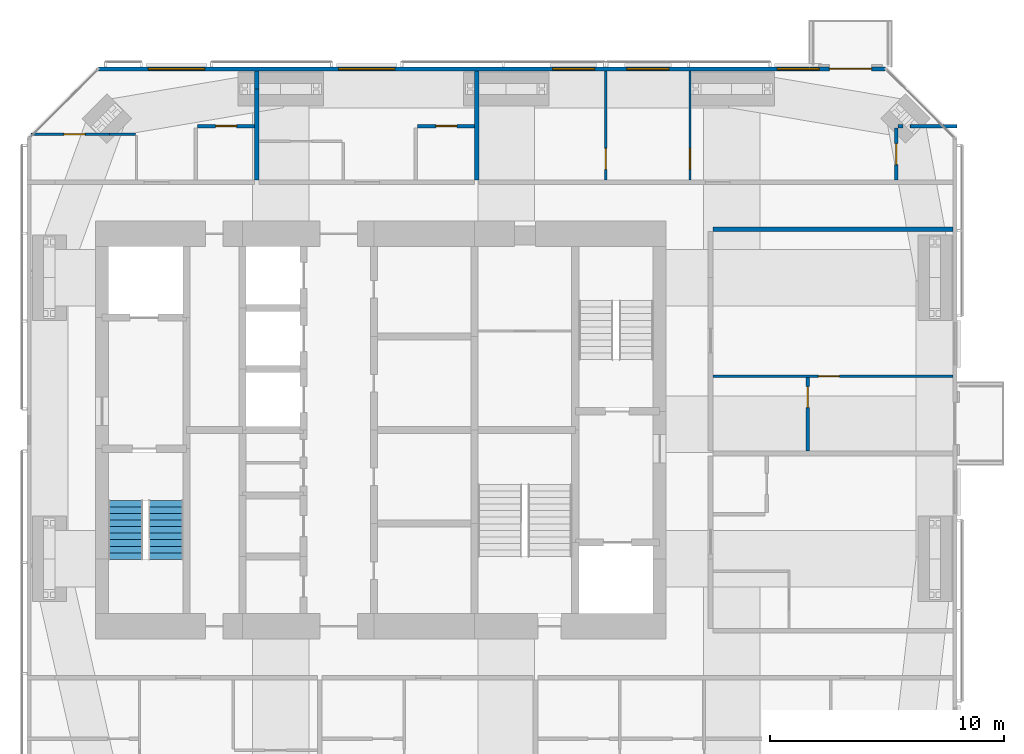
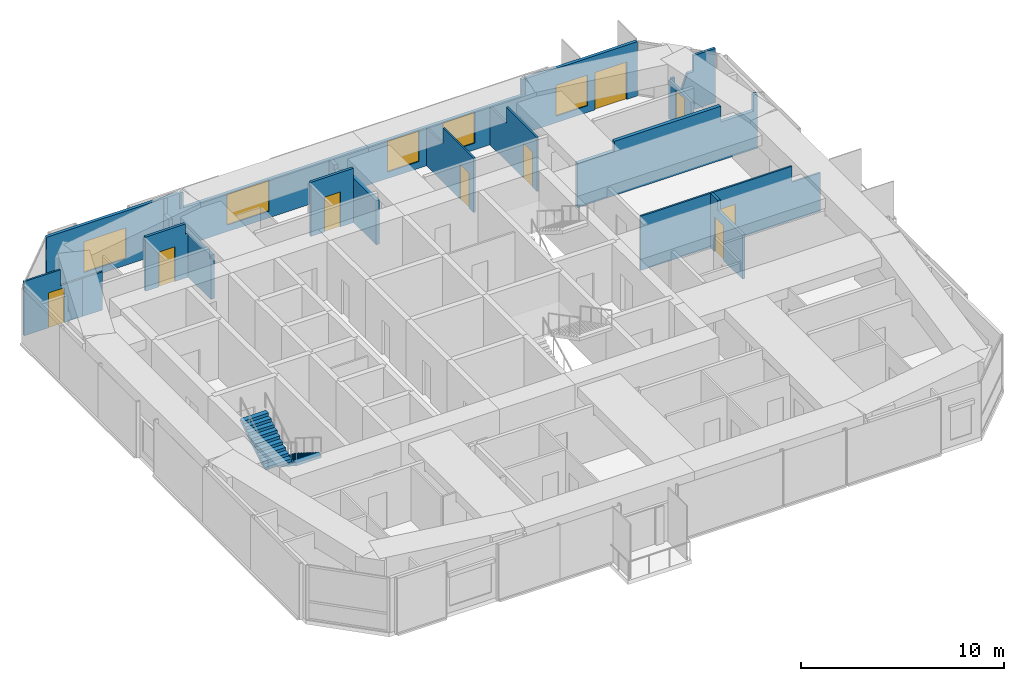
# One storey, part 16 of 18: 16 walls, 9 doors, 5 windows, 2 stair flights, 14 openings, 1 element without a shape of its own.
"""IFC4 building model written with IfcOpenShell, lengths in metres."""

from ifc_helpers import new_model, si_unit, direction, frame, frame_2d, origin, place, context, subcontext, project, spatial, polyline, rectangle, outline, extrude, material, constituent, constituent_set, type_object, element, fill, aggregate, save


model = new_model("IFC4")

# Units and contexts
model_context = context("Model", 3, precision=1e-05, world=origin(), true_north=direction((0.0, 1.0)))
body_context = subcontext(model_context, "Body", "Model", "MODEL_VIEW")
ifc_project = project(units=[si_unit("LENGTHUNIT", "METRE"), si_unit("AREAUNIT", "SQUARE_METRE"), si_unit("VOLUMEUNIT", "CUBIC_METRE"), si_unit("PLANEANGLEUNIT", "RADIAN"), si_unit("MASSUNIT", "GRAM", prefix="KILO")], contexts=[model_context])

# Site, building, storey
site_placement = place(None, origin())
site = spatial("IfcSite", under=ifc_project, at=site_placement, CompositionType="ELEMENT")
building_placement = place(site_placement, origin())
building = spatial("IfcBuilding", under=site, at=building_placement, Name="Jalousie Tower", CompositionType="ELEMENT")
storey_placement = place(building_placement, frame((0.0, 0.0, 228.449951171875)))
storey = spatial("IfcBuildingStorey", under=building, at=storey_placement, Name="L62", CompositionType="ELEMENT", Elevation=228.449951171875)

# Wall, opening, door
ifc_material_1 = material(Name="Concrete block ASTM C90", Category="concrete")
ifc_constituent_1 = constituent(ifc_material_1, Name="Body")
ifc_material_2 = material(Name="Render")
ifc_constituent_2 = constituent(ifc_material_2, Name="Finish")
ifc_constituent_set_1 = constituent_set(constituents=[ifc_constituent_1, ifc_constituent_2])
wall_type_1 = type_object("IfcWallType", Name="BATHROOM WALL 150", PredefinedType="PLUMBINGWALL", material=ifc_constituent_set_1)
wall_1_placement = place(storey_placement, frame((24.074951171875, 31.47509765625, 0.0), z_axis=(0.0, 0.0, 1.0), x_axis=(1.0, 0.0, 0.0)))
wall_1 = element("IfcWall", 1, at=wall_1_placement, inside=storey, type_object=wall_type_1, Name="Bathroom Wall 150 L62", PredefinedType="PLUMBINGWALL", context=body_context, shape_type="SweptSolid", body=[
    extrude(outline(polyline([(0.0, 0.0), (2.425048828125, 0.0), (2.425048828125, 3.260009765625), (2.425048828125, 2.66015625), (2.264892578125, 2.66015625), (2.264892578125, 3.260009765625), (0.0, 3.260009765625), (0.0, 0.0)])), frame((0.0, 0.074951171875, 0.0), z_axis=(0.0, -1.0, 0.0), x_axis=(1.0, 0.0, 0.0)), (0.0, 0.0, 1.0), 0.14990234375),
])
opening_1_placement = place(wall_1_placement, frame((0.77490234375, 0.0, 0.0)))
opening_1 = element("IfcOpeningElement", 2, at=opening_1_placement, cuts=wall_1, Name="Opening D3", PredefinedType="OPENING", context=body_context, shape_type="SweptSolid", body=[
    extrude(rectangle(XDim=0.89990234375, YDim=2.10009765625, at=frame_2d((0.449951171875, 1.050048828125))), frame((0.0, 0.0849609375, 0.0), z_axis=(0.0, -1.0, 0.0), x_axis=(1.0, 0.0, 0.0)), (0.0, 0.0, 1.0), 0.169921875),
])
ifc_material_3 = material(Name="Timber door", Category="wood")
door_type_1 = type_object("IfcDoorType", Name="BATHROOM DOOR 900", OperationType="SINGLE_SWING_LEFT", PredefinedType="DOOR", material=ifc_material_3)
door_1_placement = place(opening_1_placement, frame((0.89990234375, 0.0, 0.0), z_axis=(0.0, 0.0, 1.0), x_axis=(-1.0, 0.0, 0.0)))
door_1 = element("IfcDoor", 3, at=door_1_placement, inside=storey, type_object=door_type_1, Name="Apartment 6204 bathroom door", OperationType="SINGLE_SWING_LEFT", OverallHeight=2.10009765625, OverallWidth=0.89990234375, PredefinedType="DOOR", context=body_context, shape_type="SweptSolid", body=[
    extrude(rectangle(XDim=0.89990234375, YDim=2.10009765625, at=frame_2d((0.449951171875, 1.050048828125))), frame((0.0, 0.02490234375, 0.0), z_axis=(0.0, -1.0, 0.0), x_axis=(1.0, 0.0, 0.0)), (0.0, 0.0, 1.0), 0.050048828125),
])
fill(opening_1, door_1)

wall_2_placement = place(storey_placement, frame((33.47509765625, 31.47509765625, 0.0), z_axis=(0.0, 0.0, 1.0), x_axis=(1.0, 0.0, 0.0)))
wall_2 = element("IfcWall", 4, at=wall_2_placement, inside=storey, type_object=wall_type_1, Name="Bathroom Wall 150 L62", PredefinedType="PLUMBINGWALL", context=body_context, shape_type="SweptSolid", body=[
    extrude(rectangle(XDim=2.4248046875, YDim=0.14990234375, at=frame_2d((1.21240234375, 0.0))), origin(), (0.0, 0.0, 1.0), 3.260009765625),
])
opening_2_placement = place(wall_2_placement, frame((0.77490234375, 0.0, 0.0)))
opening_2 = element("IfcOpeningElement", 5, at=opening_2_placement, cuts=wall_2, Name="Opening D3", PredefinedType="OPENING", context=body_context, shape_type="SweptSolid", body=[
    extrude(rectangle(XDim=0.89990234375, YDim=2.10009765625, at=frame_2d((0.449951171875, 1.050048828125))), frame((0.0, 0.0849609375, 0.0), z_axis=(0.0, -1.0, 0.0), x_axis=(1.0, 0.0, 0.0)), (0.0, 0.0, 1.0), 0.169921875),
])
door_2_placement = place(opening_2_placement, frame((0.89990234375, 0.0, 0.0), z_axis=(0.0, 0.0, 1.0), x_axis=(-1.0, 0.0, 0.0)))
door_2 = element("IfcDoor", 6, at=door_2_placement, inside=storey, type_object=door_type_1, Name="Apartment 6205 bathroom door", OperationType="SINGLE_SWING_LEFT", OverallHeight=2.10009765625, OverallWidth=0.89990234375, PredefinedType="DOOR", context=body_context, shape_type="SweptSolid", body=[
    extrude(rectangle(XDim=0.89990234375, YDim=2.10009765625, at=frame_2d((0.449951171875, 1.050048828125))), frame((0.0, 0.02490234375, 0.0), z_axis=(0.0, -1.0, 0.0), x_axis=(1.0, 0.0, 0.0)), (0.0, 0.0, 1.0), 0.050048828125),
])
fill(opening_2, door_2)

# Walls
wall_3_placement = place(storey_placement, frame((53.97509765625, 31.47509765625, 0.0), z_axis=(0.0, 0.0, 1.0), x_axis=(1.0, 0.0, 0.0)))
element("IfcWall", 7, at=wall_3_placement, inside=storey, type_object=wall_type_1, Name="Bathroom Wall 150 L62-A", PredefinedType="PLUMBINGWALL", context=body_context, shape_type="SweptSolid", body=[
    extrude(rectangle(XDim=0.216796875, YDim=0.14990234375, at=frame_2d((0.1083984375, 0.0))), origin(), (0.0, 0.0, 1.0), 2.300048828125),
])
wall_4_placement = place(storey_placement, frame((54.4833984375, 31.47509765625, 0.0), z_axis=(0.0, 0.0, 1.0), x_axis=(1.0, 0.0, 0.0)))
element("IfcWall", 8, at=wall_4_placement, inside=storey, type_object=wall_type_1, Name="Bathroom Wall 150 L62-B", PredefinedType="PLUMBINGWALL", context=body_context, shape_type="SweptSolid", body=[
    extrude(outline(polyline([(0.768310546875, 3.260009765625), (0.768310546875, 2.300048828125), (0.4072265625, 2.300048828125), (0.39599609375, 2.2392578125), (0.0, 1.150146484375), (0.39599609375, 0.06103515625), (0.4072265625, 0.0), (2.0166015625, 0.0), (2.0166015625, 3.260009765625), (0.768310546875, 3.260009765625)])), frame((0.0, 0.074951171875, 0.0), z_axis=(0.0, -1.0, 0.0), x_axis=(1.0, 0.0, 0.0)), (0.0, 0.0, 1.0), 0.14990234375),
])

# Wall, opening, door
wall_5_placement = place(storey_placement, frame((53.89990234375, 31.39990234375, 0.0), z_axis=(0.0, 0.0, 1.0), x_axis=(0.0, -1.0, 0.0)))
wall_5 = element("IfcWall", 9, at=wall_5_placement, inside=storey, type_object=wall_type_1, Name="Bathroom Wall 150 L62", PredefinedType="PLUMBINGWALL", context=body_context, shape_type="SweptSolid", body=[
    extrude(outline(polyline([(0.0, 0.0), (2.224853515625, 0.0), (2.22509765625, 3.260009765625), (2.22509765625, 2.300048828125), (0.43798828125, 2.300048828125), (0.0, 2.300048828125), (0.0, 3.260009765625), (0.0, 0.0)])), frame((0.0, 0.074951171875, 0.0), z_axis=(0.0, -1.0, 0.0), x_axis=(1.0, 0.0, 0.0)), (0.0, 0.0, 1.0), 0.14990234375),
])
opening_3_placement = place(wall_5_placement, frame((0.675048828125, 0.0, 0.0)))
opening_3 = element("IfcOpeningElement", 10, at=opening_3_placement, cuts=wall_5, Name="Opening D3", PredefinedType="OPENING", context=body_context, shape_type="SweptSolid", body=[
    extrude(rectangle(XDim=0.89990234375, YDim=2.10009765625, at=frame_2d((0.449951171875, 1.050048828125))), frame((0.0, 0.0849609375, 0.0), z_axis=(0.0, -1.0, 0.0), x_axis=(1.0, 0.0, 0.0)), (0.0, 0.0, 1.0), 0.169921875),
])
door_3_placement = place(opening_3_placement, origin())
door_3 = element("IfcDoor", 11, at=door_3_placement, inside=storey, type_object=door_type_1, Name="Apartment 6206 bathroom door", OperationType="SINGLE_SWING_RIGHT", OverallHeight=2.10009765625, OverallWidth=0.89990234375, PredefinedType="DOOR", context=body_context, shape_type="SweptSolid", body=[
    extrude(rectangle(XDim=0.89990234375, YDim=2.10009765625, at=frame_2d((0.449951171875, 1.050048828125))), frame((0.0, 0.02490234375, 0.0), z_axis=(0.0, -1.0, 0.0), x_axis=(1.0, 0.0, 0.0)), (0.0, 0.0, 1.0), 0.050048828125),
])
fill(opening_3, door_3)

wall_6_placement = place(storey_placement, frame((50.125, 17.60009765625, 0.0), z_axis=(0.0, 0.0, 1.0), x_axis=(0.0, 1.0, 0.0)))
wall_6 = element("IfcWall", 12, at=wall_6_placement, inside=storey, type_object=wall_type_1, Name="Bathroom Wall 150 L62", PredefinedType="PLUMBINGWALL", context=body_context, shape_type="SweptSolid", body=[
    extrude(outline(polyline([(0.0, 0.0), (3.14990234375, 0.0), (3.14990234375, 3.260009765625), (2.43505859375, 3.260009765625), (2.43505859375, 2.66015625), (0.0, 2.66015625), (0.0, 3.260009765625), (0.0, 0.0)])), frame((0.0, 0.074951171875, 0.0), z_axis=(0.0, -1.0, 0.0), x_axis=(1.0, 0.0, 0.0)), (0.0, 0.0, 1.0), 0.14990234375),
])
opening_4_placement = place(wall_6_placement, frame((1.85009765625, 0.0, 0.0)))
opening_4 = element("IfcOpeningElement", 13, at=opening_4_placement, cuts=wall_6, Name="Opening D3", PredefinedType="OPENING", context=body_context, shape_type="SweptSolid", body=[
    extrude(rectangle(XDim=0.89990234375, YDim=2.10009765625, at=frame_2d((0.449951171875, 1.050048828125))), frame((0.0, 0.0849609375, 0.0), z_axis=(0.0, -1.0, 0.0), x_axis=(1.0, 0.0, 0.0)), (0.0, 0.0, 1.0), 0.169921875),
])
door_4_placement = place(opening_4_placement, origin())
door_4 = element("IfcDoor", 14, at=door_4_placement, inside=storey, type_object=door_type_1, Name="Apartment 6208 bedroom 1 bathroom door", OperationType="SINGLE_SWING_RIGHT", OverallHeight=2.10009765625, OverallWidth=0.89990234375, PredefinedType="DOOR", context=body_context, shape_type="SweptSolid", body=[
    extrude(rectangle(XDim=0.89990234375, YDim=2.10009765625, at=frame_2d((0.449951171875, 1.050048828125))), frame((0.0, 0.02490234375, 0.0), z_axis=(0.0, -1.0, 0.0), x_axis=(1.0, 0.0, 0.0)), (0.0, 0.0, 1.0), 0.050048828125),
])
fill(opening_4, door_4)

# Wall
ifc_material_4 = material(Name="Concrete block ASTM C90", Category="concrete")
ifc_constituent_3 = constituent(ifc_material_4, Name="Body")
ifc_material_5 = material(Name="Render")
ifc_constituent_4 = constituent(ifc_material_5, Name="Finish")
ifc_constituent_set_2 = constituent_set(constituents=[ifc_constituent_3, ifc_constituent_4])
wall_type_2 = type_object("IfcWallType", Name="CORRIDOR WALL 200", PredefinedType="PARTITIONING", material=ifc_constituent_set_2)
wall_7_placement = place(storey_placement, frame((46.074951171875, 27.074951171875, 0.0), z_axis=(0.0, 0.0, 1.0), x_axis=(1.0, 0.0, 0.0)))
element("IfcWall", 15, at=wall_7_placement, inside=storey, type_object=wall_type_2, Name="Corridor Wall 200 L62", PredefinedType="PARTITIONING", context=body_context, shape_type="SweptSolid", body=[
    extrude(outline(polyline([(0.0, 0.0), (10.25, 0.0), (10.25, 3.260009765625), (10.0166015625, 3.260009765625), (10.0166015625, 2.300048828125), (8.16552734375, 2.300048828125), (8.16552734375, 3.260009765625), (2.110107421875, 3.260009765625), (2.110107421875, 2.66015625), (0.0, 2.66015625), (0.0, 3.260009765625), (0.0, 0.0)])), frame((0.0, 0.10009765625, 0.0), z_axis=(0.0, -1.0, 0.0), x_axis=(1.0, 0.0, 0.0)), (0.0, 0.0, 1.0), 0.199951171875),
])

# Wall, openings, door, windows
ifc_material_6 = material(Name="Concrete f'c 40 MPa", Category="concrete")
ifc_constituent_5 = constituent(ifc_material_6, Name="Body")
ifc_material_7 = material(Name="Render, pastel sky blue")
ifc_constituent_6 = constituent(ifc_material_7, Name="Finish")
ifc_constituent_set_3 = constituent_set(constituents=[ifc_constituent_5, ifc_constituent_6])
wall_type_3 = type_object("IfcWallType", Name="EXTERNAL WALL 175 SKY BLUE RENDER", PredefinedType="SOLIDWALL", material=ifc_constituent_set_3)
wall_8_placement = place(storey_placement, frame((53.44873046875, 33.91259765625, 0.0), z_axis=(0.0, 0.0, 1.0), x_axis=(-1.0, 0.0, 0.0)))
wall_8 = element("IfcWall", 16, at=wall_8_placement, inside=storey, type_object=wall_type_3, Name="External Wall 175 Sky Blue Render L62", PredefinedType="SOLIDWALL", context=body_context, shape_type="SweptSolid", body=[
    extrude(outline(polyline([(0.0, 0.0), (33.597412109375, 0.0), (33.597412109375, 3.260009765625), (26.03857421875, 3.260009765625), (26.03857421875, 2.300048828125), (25.955078125, 2.300048828125), (25.955078125, 3.260009765625), (25.82373046875, 3.260009765625), (25.82373046875, 2.300048828125), (6.57373046875, 2.300048828125), (6.57373046875, 3.260009765625), (6.4423828125, 3.260009765625), (6.4423828125, 2.300048828125), (6.35888671875, 2.300048828125), (6.35888671875, 3.260009765625), (0.0, 3.260009765625), (0.0, 0.0)])), frame((0.0, 0.08740234375, 0.0), z_axis=(0.0, -1.0, 0.0), x_axis=(1.0, 0.0, 0.0)), (0.0, 0.0, 1.0), 0.175048828125),
])
opening_5_placement = place(wall_8_placement, frame((0.60009765625, 0.0, 0.0)))
opening_5 = element("IfcOpeningElement", 17, at=opening_5_placement, cuts=wall_8, Name="Opening D-BAL22", PredefinedType="OPENING", context=body_context, shape_type="SweptSolid", body=[
    extrude(rectangle(XDim=1.800048828125, YDim=2.25, at=frame_2d((0.89990234375, 1.125))), frame((0.0, 0.097412109375, 0.0), z_axis=(0.0, -1.0, 0.0), x_axis=(1.0, 0.0, 0.0)), (0.0, 0.0, 1.0), 0.195068359375),
])
opening_6_placement = place(wall_8_placement, frame((2.835205078125, 0.0, 0.39990234375)))
opening_6 = element("IfcOpeningElement", 18, at=opening_6_placement, cuts=wall_8, Name="Opening W-BED185", PredefinedType="OPENING", context=body_context, shape_type="SweptSolid", body=[
    extrude(rectangle(XDim=1.800048828125, YDim=1.85009765625, at=frame_2d((0.89990234375, 0.925048828125))), frame((0.0, 0.097412109375, 0.0), z_axis=(0.0, -1.0, 0.0), x_axis=(1.0, 0.0, 0.0)), (0.0, 0.0, 1.0), 0.195068359375),
])
opening_7_placement = place(wall_8_placement, frame((9.248779296875, 0.0, 0.39990234375)))
opening_7 = element("IfcOpeningElement", 19, at=opening_7_placement, cuts=wall_8, Name="Opening W-BED185", PredefinedType="OPENING", context=body_context, shape_type="SweptSolid", body=[
    extrude(rectangle(XDim=1.800048828125, YDim=1.85009765625, at=frame_2d((0.89990234375, 0.925048828125))), frame((0.0, 0.097412109375, 0.0), z_axis=(0.0, -1.0, 0.0), x_axis=(1.0, 0.0, 0.0)), (0.0, 0.0, 1.0), 0.195068359375),
])
opening_8_placement = place(wall_8_placement, frame((12.419921875, 0.0, 0.39990234375)))
opening_8 = element("IfcOpeningElement", 20, at=opening_8_placement, cuts=wall_8, Name="Opening W-BED185", PredefinedType="OPENING", context=body_context, shape_type="SweptSolid", body=[
    extrude(rectangle(XDim=1.800048828125, YDim=1.85009765625, at=frame_2d((0.89990234375, 0.925048828125))), frame((0.0, 0.097412109375, 0.0), z_axis=(0.0, -1.0, 0.0), x_axis=(1.0, 0.0, 0.0)), (0.0, 0.0, 1.0), 0.195068359375),
])
opening_9_placement = place(wall_8_placement, frame((20.94873046875, 0.0, 0.39990234375)))
opening_9 = element("IfcOpeningElement", 21, at=opening_9_placement, cuts=wall_8, Name="Opening W-LIV185", PredefinedType="OPENING", context=body_context, shape_type="SweptSolid", body=[
    extrude(rectangle(XDim=2.39990234375, YDim=1.85009765625, at=frame_2d((1.199951171875, 0.925048828125))), frame((0.0, 0.097412109375, 0.0), z_axis=(0.0, -1.0, 0.0), x_axis=(1.0, 0.0, 0.0)), (0.0, 0.0, 1.0), 0.195068359375),
])
opening_10_placement = place(wall_8_placement, frame((29.072998046875, 0.0, 0.39990234375)))
opening_10 = element("IfcOpeningElement", 22, at=opening_10_placement, cuts=wall_8, Name="Opening W-LIV185", PredefinedType="OPENING", context=body_context, shape_type="SweptSolid", body=[
    extrude(rectangle(XDim=2.39990234375, YDim=1.85009765625, at=frame_2d((1.199951171875, 0.925048828125))), frame((0.0, 0.097412109375, 0.0), z_axis=(0.0, -1.0, 0.0), x_axis=(1.0, 0.0, 0.0)), (0.0, 0.0, 1.0), 0.195068359375),
])
ifc_material_8 = material(Name="Aluminium frame, impact-rated glazing", Category="aluminium")
door_type_2 = type_object("IfcDoorType", Name="BALCONY DOOR 1800x2250", OperationType="SLIDING_TO_LEFT", PredefinedType="DOOR", material=ifc_material_8)
door_5_placement = place(opening_5_placement, origin())
door_5 = element("IfcDoor", 23, at=door_5_placement, inside=storey, type_object=door_type_2, Name="Apartment 6206 living, dining and kitchen balcony door", OperationType="SLIDING_TO_LEFT", OverallHeight=2.25, OverallWidth=1.800048828125, PredefinedType="DOOR", context=body_context, shape_type="SweptSolid", body=[
    extrude(rectangle(XDim=1.800048828125, YDim=2.25, at=frame_2d((0.89990234375, 1.125))), frame((0.0, 0.02490234375, 0.0), z_axis=(0.0, -1.0, 0.0), x_axis=(1.0, 0.0, 0.0)), (0.0, 0.0, 1.0), 0.050048828125),
])
fill(opening_5, door_5)
ifc_material_9 = material(Name="Aluminium frame, impact-rated glazing", Category="aluminium")
window_type_1 = type_object("IfcWindowType", Name="WINDOW BED 1800x1850", PartitioningType="SINGLE_PANEL", PredefinedType="WINDOW", material=ifc_material_9)
window_1_placement = place(opening_6_placement, origin())
window_1 = element("IfcWindow", 24, at=window_1_placement, inside=storey, type_object=window_type_1, Name="Apartment 6206 living, dining and kitchen window", OverallHeight=1.85009765625, OverallWidth=1.800048828125, PartitioningType="SINGLE_PANEL", PredefinedType="WINDOW", context=body_context, shape_type="SweptSolid", body=[
    extrude(rectangle(XDim=1.800048828125, YDim=1.85009765625, at=frame_2d((0.89990234375, 0.925048828125))), frame((0.0, 0.030029296875, 0.0), z_axis=(0.0, -1.0, 0.0), x_axis=(1.0, 0.0, 0.0)), (0.0, 0.0, 1.0), 0.06005859375),
])
fill(opening_6, window_1)
window_2_placement = place(opening_7_placement, origin())
window_2 = element("IfcWindow", 25, at=window_2_placement, inside=storey, type_object=window_type_1, Name="Apartment 6206 bedroom 2 window", OverallHeight=1.85009765625, OverallWidth=1.800048828125, PartitioningType="SINGLE_PANEL", PredefinedType="WINDOW", context=body_context, shape_type="SweptSolid", body=[
    extrude(rectangle(XDim=1.800048828125, YDim=1.85009765625, at=frame_2d((0.89990234375, 0.925048828125))), frame((0.0, 0.030029296875, 0.0), z_axis=(0.0, -1.0, 0.0), x_axis=(1.0, 0.0, 0.0)), (0.0, 0.0, 1.0), 0.06005859375),
])
fill(opening_7, window_2)
window_3_placement = place(opening_8_placement, origin())
window_3 = element("IfcWindow", 26, at=window_3_placement, inside=storey, type_object=window_type_1, Name="Apartment 6206 bedroom 1 window", OverallHeight=1.85009765625, OverallWidth=1.800048828125, PartitioningType="SINGLE_PANEL", PredefinedType="WINDOW", context=body_context, shape_type="SweptSolid", body=[
    extrude(rectangle(XDim=1.800048828125, YDim=1.85009765625, at=frame_2d((0.89990234375, 0.925048828125))), frame((0.0, 0.030029296875, 0.0), z_axis=(0.0, -1.0, 0.0), x_axis=(1.0, 0.0, 0.0)), (0.0, 0.0, 1.0), 0.06005859375),
])
fill(opening_8, window_3)
ifc_material_10 = material(Name="Aluminium frame, impact-rated glazing", Category="aluminium")
window_type_2 = type_object("IfcWindowType", Name="WINDOW LIV 2400x1850", PartitioningType="DOUBLE_PANEL_VERTICAL", PredefinedType="WINDOW", material=ifc_material_10)
window_4_placement = place(opening_9_placement, origin())
window_4 = element("IfcWindow", 27, at=window_4_placement, inside=storey, type_object=window_type_2, Name="Apartment 6205 studio living and sleeping room window", OverallHeight=1.85009765625, OverallWidth=2.39990234375, PartitioningType="SINGLE_PANEL", PredefinedType="WINDOW", context=body_context, shape_type="SweptSolid", body=[
    extrude(rectangle(XDim=2.39990234375, YDim=1.85009765625, at=frame_2d((1.199951171875, 0.925048828125))), frame((0.0, 0.030029296875, 0.0), z_axis=(0.0, -1.0, 0.0), x_axis=(1.0, 0.0, 0.0)), (0.0, 0.0, 1.0), 0.06005859375),
])
fill(opening_9, window_4)
window_5_placement = place(opening_10_placement, origin())
window_5 = element("IfcWindow", 28, at=window_5_placement, inside=storey, type_object=window_type_2, Name="Apartment 6204 studio living and sleeping room window", OverallHeight=1.85009765625, OverallWidth=2.39990234375, PartitioningType="SINGLE_PANEL", PredefinedType="WINDOW", context=body_context, shape_type="SweptSolid", body=[
    extrude(rectangle(XDim=2.39990234375, YDim=1.85009765625, at=frame_2d((1.199951171875, 0.925048828125))), frame((0.0, 0.030029296875, 0.0), z_axis=(0.0, -1.0, 0.0), x_axis=(1.0, 0.0, 0.0)), (0.0, 0.0, 1.0), 0.06005859375),
])
fill(opening_10, window_5)

# Wall, opening, door
ifc_material_11 = material(Name="Gypsum board", Category="gypsum")
ifc_constituent_7 = constituent(ifc_material_11, Name="Body")
ifc_material_12 = material(Name="Light-gauge steel studs ASTM A653 SS Grade 33", Category="steel")
ifc_constituent_8 = constituent(ifc_material_12, Name="Framing")
ifc_constituent_set_4 = constituent_set(constituents=[ifc_constituent_7, ifc_constituent_8])
wall_type_4 = type_object("IfcWallType", Name="PARTITION 100", PredefinedType="PARTITIONING", material=ifc_constituent_set_4)
wall_9_placement = place(storey_placement, frame((16.97509765625, 31.125, 0.0), z_axis=(0.0, 0.0, 1.0), x_axis=(1.0, 0.0, 0.0)))
wall_9 = element("IfcWall", 29, at=wall_9_placement, inside=storey, type_object=wall_type_4, Name="Partition 100 L62-A", PredefinedType="PARTITIONING", context=body_context, shape_type="SweptSolid", body=[
    extrude(outline(polyline([(0.0, 0.0), (3.336669921875, 0.0), (3.3369140625, 2.300048828125), (2.075927734375, 2.300048828125), (2.075927734375, 3.260009765625), (0.0, 3.260009765625), (0.0, 0.0)])), frame((0.0, 0.050048828125, 0.0), z_axis=(0.0, -1.0, 0.0), x_axis=(1.0, 0.0, 0.0)), (0.0, 0.0, 1.0), 0.10009765625),
])
opening_11_placement = place(wall_9_placement, frame((1.39990234375, 0.0, 0.0)))
opening_11 = element("IfcOpeningElement", 30, at=opening_11_placement, cuts=wall_9, Name="Opening D7", PredefinedType="OPENING", context=body_context, shape_type="SweptSolid", body=[
    extrude(rectangle(XDim=0.89990234375, YDim=2.10009765625, at=frame_2d((0.449951171875, 1.050048828125))), frame((0.0, 0.06005859375, 0.0), z_axis=(0.0, -1.0, 0.0), x_axis=(1.0, 0.0, 0.0)), (0.0, 0.0, 1.0), 0.1201171875),
])
ifc_material_13 = material(Name="Timber door", Category="wood")
door_type_3 = type_object("IfcDoorType", Name="INTERNAL DOOR 900", OperationType="SINGLE_SWING_LEFT", PredefinedType="DOOR", material=ifc_material_13)
door_6_placement = place(opening_11_placement, frame((0.89990234375, 0.0, 0.0), z_axis=(0.0, 0.0, 1.0), x_axis=(-1.0, 0.0, 0.0)))
door_6 = element("IfcDoor", 31, at=door_6_placement, inside=storey, type_object=door_type_3, Name="Apartment 6204 kitchen door", OperationType="SINGLE_SWING_RIGHT", OverallHeight=2.10009765625, OverallWidth=0.89990234375, PredefinedType="DOOR", context=body_context, shape_type="SweptSolid", body=[
    extrude(rectangle(XDim=0.89990234375, YDim=2.10009765625, at=frame_2d((0.449951171875, 1.050048828125))), frame((0.0, 0.02490234375, 0.0), z_axis=(0.0, -1.0, 0.0), x_axis=(1.0, 0.0, 0.0)), (0.0, 0.0, 1.0), 0.050048828125),
])
fill(opening_11, door_6)

# Wall
wall_10_placement = place(storey_placement, frame((20.311767578125, 31.125, 0.0), z_axis=(0.0, 0.0, 1.0), x_axis=(1.0, 0.0, 0.0)))
element("IfcWall", 32, at=wall_10_placement, inside=storey, type_object=wall_type_4, Name="Partition 100 L62-B", PredefinedType="PARTITIONING", context=body_context, shape_type="SweptSolid", body=[
    extrude(rectangle(XDim=1.11328125, YDim=0.10009765625, at=frame_2d((0.556640625, 0.0))), origin(), (0.0, 0.0, 1.0), 2.300048828125),
])

# Wall, opening, door
wall_11_placement = place(storey_placement, frame((41.5, 33.824951171875, 0.0), z_axis=(0.0, 0.0, 1.0), x_axis=(0.0, -1.0, 0.0)))
wall_11 = element("IfcWall", 33, at=wall_11_placement, inside=storey, type_object=wall_type_4, Name="Partition 100 L62", PredefinedType="PARTITIONING", context=body_context, shape_type="SweptSolid", body=[
    extrude(outline(polyline([(0.0, 0.0), (4.64990234375, 0.0), (4.64990234375, 3.260009765625), (1.635009765625, 3.260009765625), (1.635009765625, 2.300048828125), (0.0, 2.300048828125), (0.0, 3.260009765625), (0.0, 0.0)])), frame((0.0, 0.050048828125, 0.0), z_axis=(0.0, -1.0, 0.0), x_axis=(1.0, 0.0, 0.0)), (0.0, 0.0, 1.0), 0.10009765625),
])
opening_12_placement = place(wall_11_placement, frame((3.300048828125, 0.0, 0.0)))
opening_12 = element("IfcOpeningElement", 34, at=opening_12_placement, cuts=wall_11, Name="Opening D2", PredefinedType="OPENING", context=body_context, shape_type="SweptSolid", body=[
    extrude(rectangle(XDim=0.89990234375, YDim=2.10009765625, at=frame_2d((0.449951171875, 1.050048828125))), frame((0.0, 0.06005859375, 0.0), z_axis=(0.0, -1.0, 0.0), x_axis=(1.0, 0.0, 0.0)), (0.0, 0.0, 1.0), 0.1201171875),
])
ifc_material_14 = material(Name="Timber door", Category="wood")
door_type_4 = type_object("IfcDoorType", Name="BEDROOM DOOR 900", OperationType="SINGLE_SWING_LEFT", PredefinedType="DOOR", material=ifc_material_14)
door_7_placement = place(opening_12_placement, frame((0.89990234375, 0.0, 0.0), z_axis=(0.0, 0.0, 1.0), x_axis=(-1.0, 0.0, 0.0)))
door_7 = element("IfcDoor", 35, at=door_7_placement, inside=storey, type_object=door_type_4, Name="Apartment 6206 bedroom 1 door", OperationType="SINGLE_SWING_LEFT", OverallHeight=2.10009765625, OverallWidth=0.89990234375, PredefinedType="DOOR", context=body_context, shape_type="SweptSolid", body=[
    extrude(rectangle(XDim=0.89990234375, YDim=2.10009765625, at=frame_2d((0.449951171875, 1.050048828125))), frame((0.0, 0.02490234375, 0.0), z_axis=(0.0, -1.0, 0.0), x_axis=(1.0, 0.0, 0.0)), (0.0, 0.0, 1.0), 0.050048828125),
])
fill(opening_12, door_7)

wall_12_placement = place(storey_placement, frame((45.10009765625, 33.824951171875, 0.0), z_axis=(0.0, 0.0, 1.0), x_axis=(0.0, -1.0, 0.0)))
wall_12 = element("IfcWall", 36, at=wall_12_placement, inside=storey, type_object=wall_type_4, Name="Partition 100 L62", PredefinedType="PARTITIONING", context=body_context, shape_type="SweptSolid", body=[
    extrude(outline(polyline([(0.0, 0.0), (4.64990234375, 0.0), (4.64990234375, 3.260009765625), (1.635009765625, 3.260009765625), (1.635009765625, 2.300048828125), (0.0, 2.300048828125), (0.0, 3.260009765625), (0.0, 0.0)])), frame((0.0, 0.050048828125, 0.0), z_axis=(0.0, -1.0, 0.0), x_axis=(1.0, 0.0, 0.0)), (0.0, 0.0, 1.0), 0.10009765625),
])
opening_13_placement = place(wall_12_placement, frame((3.300048828125, 0.0, 0.0)))
opening_13 = element("IfcOpeningElement", 37, at=opening_13_placement, cuts=wall_12, Name="Opening D2", PredefinedType="OPENING", context=body_context, shape_type="SweptSolid", body=[
    extrude(rectangle(XDim=0.89990234375, YDim=2.10009765625, at=frame_2d((0.449951171875, 1.050048828125))), frame((0.0, 0.06005859375, 0.0), z_axis=(0.0, -1.0, 0.0), x_axis=(1.0, 0.0, 0.0)), (0.0, 0.0, 1.0), 0.1201171875),
])
door_8_placement = place(opening_13_placement, frame((0.89990234375, 0.0, 0.0), z_axis=(0.0, 0.0, 1.0), x_axis=(-1.0, 0.0, 0.0)))
door_8 = element("IfcDoor", 38, at=door_8_placement, inside=storey, type_object=door_type_4, Name="Apartment 6206 bedroom 2 door", OperationType="SINGLE_SWING_LEFT", OverallHeight=2.10009765625, OverallWidth=0.89990234375, PredefinedType="DOOR", context=body_context, shape_type="SweptSolid", body=[
    extrude(rectangle(XDim=0.89990234375, YDim=2.10009765625, at=frame_2d((0.449951171875, 1.050048828125))), frame((0.0, 0.02490234375, 0.0), z_axis=(0.0, -1.0, 0.0), x_axis=(1.0, 0.0, 0.0)), (0.0, 0.0, 1.0), 0.050048828125),
])
fill(opening_13, door_8)

wall_13_placement = place(storey_placement, frame((56.324951171875, 20.800048828125, 0.0), z_axis=(0.0, 0.0, 1.0), x_axis=(-1.0, 0.0, 0.0)))
wall_13 = element("IfcWall", 39, at=wall_13_placement, inside=storey, type_object=wall_type_4, Name="Partition 100 L62", PredefinedType="PARTITIONING", context=body_context, shape_type="SweptSolid", body=[
    extrude(outline(polyline([(0.0, 0.0), (10.25, 0.0), (10.25, 3.260009765625), (1.635009765625, 3.260009765625), (1.635009765625, 2.300048828125), (0.0, 2.300048828125), (0.0, 3.260009765625), (0.0, 0.0)])), frame((0.0, 0.050048828125, 0.0), z_axis=(0.0, -1.0, 0.0), x_axis=(1.0, 0.0, 0.0)), (0.0, 0.0, 1.0), 0.10009765625),
])
opening_14_placement = place(wall_13_placement, frame((4.85009765625, 0.0, 0.0)))
opening_14 = element("IfcOpeningElement", 40, at=opening_14_placement, cuts=wall_13, Name="Opening D2", PredefinedType="OPENING", context=body_context, shape_type="SweptSolid", body=[
    extrude(rectangle(XDim=0.89990234375, YDim=2.10009765625, at=frame_2d((0.449951171875, 1.050048828125))), frame((0.0, 0.06005859375, 0.0), z_axis=(0.0, -1.0, 0.0), x_axis=(1.0, 0.0, 0.0)), (0.0, 0.0, 1.0), 0.1201171875),
])
door_9_placement = place(opening_14_placement, origin())
door_9 = element("IfcDoor", 41, at=door_9_placement, inside=storey, type_object=door_type_4, Name="Apartment 6208 bedroom 1 door", OperationType="SINGLE_SWING_RIGHT", OverallHeight=2.10009765625, OverallWidth=0.89990234375, PredefinedType="DOOR", context=body_context, shape_type="SweptSolid", body=[
    extrude(rectangle(XDim=0.89990234375, YDim=2.10009765625, at=frame_2d((0.449951171875, 1.050048828125))), frame((0.0, 0.02490234375, 0.0), z_axis=(0.0, -1.0, 0.0), x_axis=(1.0, 0.0, 0.0)), (0.0, 0.0, 1.0), 0.050048828125),
])
fill(opening_14, door_9)

# Walls
ifc_material_15 = material(Name="Concrete block ASTM C90", Category="concrete")
ifc_constituent_9 = constituent(ifc_material_15, Name="Body")
ifc_material_16 = material(Name="Render")
ifc_constituent_10 = constituent(ifc_material_16, Name="Finish")
ifc_constituent_set_5 = constituent_set(constituents=[ifc_constituent_9, ifc_constituent_10])
wall_type_5 = type_object("IfcWallType", Name="PARTY WALL 200", PredefinedType="PARTITIONING", material=ifc_constituent_set_5)
wall_14_placement = place(storey_placement, frame((26.60009765625, 33.824951171875, 0.0), z_axis=(0.0, 0.0, 1.0), x_axis=(0.0, -1.0, 0.0)))
element("IfcWall", 42, at=wall_14_placement, inside=storey, type_object=wall_type_5, Name="Party Wall 200 L62-A", PredefinedType="PARTITIONING", context=body_context, shape_type="SweptSolid", body=[
    extrude(outline(polyline([(0.025634765625, 2.300048828125), (0.025634765625, 3.260009765625), (0.0, 3.260009765625), (0.0, 0.0), (0.52880859375, 0.0), (0.52880859375, 0.539306640625), (0.77490234375, 0.539306640625), (0.77490234375, 1.7607421875), (0.52880859375, 1.7607421875), (0.52880859375, 2.300048828125), (0.025634765625, 2.300048828125)])), frame((0.0, 0.10009765625, 0.0), z_axis=(0.0, -1.0, 0.0), x_axis=(1.0, 0.0, 0.0)), (0.0, 0.0, 1.0), 0.199951171875),
])
wall_15_placement = place(storey_placement, frame((26.60009765625, 33.050048828125, 0.0), z_axis=(0.0, 0.0, 1.0), x_axis=(0.0, -1.0, 0.0)))
element("IfcWall", 43, at=wall_15_placement, inside=storey, type_object=wall_type_5, Name="Party Wall 200 L62-B", PredefinedType="PARTITIONING", context=body_context, shape_type="SweptSolid", body=[
    extrude(outline(polyline([(0.24609375, 2.300048828125), (0.24609375, 1.7607421875), (0.0, 1.7607421875), (0.0, 0.539306640625), (0.24609375, 0.539306640625), (0.24609375, 0.0), (3.875, 0.0), (3.875, 2.66015625), (1.0966796875, 2.66015625), (1.0966796875, 2.300048828125), (0.24609375, 2.300048828125)])), frame((0.0, 0.10009765625, 0.0), z_axis=(0.0, -1.0, 0.0), x_axis=(1.0, 0.0, 0.0)), (0.0, 0.0, 1.0), 0.199951171875),
])
wall_16_placement = place(storey_placement, frame((36.0, 33.824951171875, 0.0), z_axis=(0.0, 0.0, 1.0), x_axis=(0.0, -1.0, 0.0)))
element("IfcWall", 44, at=wall_16_placement, inside=storey, type_object=wall_type_5, Name="Party Wall 200 L62", PredefinedType="PARTITIONING", context=body_context, shape_type="SweptSolid", body=[
    extrude(outline(polyline([(0.52880859375, 2.300048828125), (0.0, 2.300048828125), (0.0, 0.0), (0.52880859375, 0.0), (0.52880859375, 0.28125), (1.021240234375, 0.28125), (1.021240234375, 0.0), (4.64990234375, 0.0), (4.64990234375, 2.66015625), (1.68505859375, 2.66015625), (1.68505859375, 2.300048828125), (1.021240234375, 2.300048828125), (1.021240234375, 2.01904296875), (0.52880859375, 2.01904296875), (0.52880859375, 2.300048828125)])), frame((0.0, 0.10009765625, 0.0), z_axis=(0.0, -1.0, 0.0), x_axis=(1.0, 0.0, 0.0)), (0.0, 0.0, 1.0), 0.199951171875),
])

# Stair, stair flights
ifc_material_17 = material(Name="Concrete f'c 40 MPa", Category="concrete")
stair_type = type_object("IfcStairType", Name="EXIT STAIR", PredefinedType="HALF_TURN_STAIR", material=ifc_material_17)
stair_placement = place(storey_placement, origin())
stair = element("IfcStair", 45, at=stair_placement, inside=storey, type_object=stair_type, Name="Exit stair A L62", PredefinedType="HALF_TURN_STAIR")
ifc_material_18 = material(Name="Concrete f'c 40 MPa", Category="concrete")
stair_flight_type = type_object("IfcStairFlightType", Name="STAIR FLIGHT", PredefinedType="STRAIGHT", material=ifc_material_18)
stair_flight_1_placement = place(storey_placement, frame((22.71875, 15.49755859375, 0.0), z_axis=(0.0, 0.0, 1.0), x_axis=(0.0, -1.0, 0.0)))
stair_flight_1 = element("IfcStairFlight", 46, at=stair_flight_1_placement, type_object=stair_flight_type, Name="ST-A flight 1", NumberOfRisers=10, NumberOfTreads=9, PredefinedType="STRAIGHT", RiserHeight=0.175, TreadLength=0.28, context=body_context, shape_type="SweptSolid", body=[
    extrude(outline(polyline([(0.0, 0.0), (0.0, 0.175048828125), (0.280029296875, 0.175048828125), (0.280029296875, 0.35009765625), (0.56005859375, 0.35009765625), (0.56005859375, 0.52490234375), (0.840087890625, 0.52490234375), (0.840087890625, 0.699951171875), (1.1201171875, 0.699951171875), (1.1201171875, 0.875), (1.39990234375, 0.875), (1.39990234375, 1.050048828125), (1.679931640625, 1.050048828125), (1.679931640625, 1.22509765625), (1.9599609375, 1.22509765625), (1.9599609375, 1.39990234375), (2.239990234375, 1.39990234375), (2.239990234375, 1.574951171875), (2.52001953125, 1.574951171875), (2.52001953125, 1.75), (2.52001953125, 1.398193359375), (0.28271484375, 0.0), (0.0, 0.0)])), frame((0.0, 0.731201171875, 0.0), z_axis=(0.0, -1.0, 0.0), x_axis=(1.0, 0.0, 0.0)), (0.0, 0.0, 1.0), 1.46240234375),
])
stair_flight_2_placement = place(storey_placement, frame((21.00634765625, 12.9775390625, 1.75), z_axis=(0.0, 0.0, 1.0), x_axis=(0.0, 1.0, 0.0)))
stair_flight_2 = element("IfcStairFlight", 47, at=stair_flight_2_placement, type_object=stair_flight_type, Name="ST-A flight 2", NumberOfRisers=10, NumberOfTreads=9, PredefinedType="STRAIGHT", RiserHeight=0.175, TreadLength=0.28, context=body_context, shape_type="SweptSolid", body=[
    extrude(outline(polyline([(0.0, 0.0), (0.0, 0.175048828125), (0.280029296875, 0.175048828125), (0.280029296875, 0.35009765625), (0.56005859375, 0.35009765625), (0.56005859375, 0.52490234375), (0.840087890625, 0.52490234375), (0.840087890625, 0.699951171875), (1.1201171875, 0.699951171875), (1.1201171875, 0.875), (1.39990234375, 0.875), (1.39990234375, 1.050048828125), (1.679931640625, 1.050048828125), (1.679931640625, 1.22509765625), (1.9599609375, 1.22509765625), (1.9599609375, 1.39990234375), (2.239990234375, 1.39990234375), (2.239990234375, 1.574951171875), (2.52001953125, 1.574951171875), (2.52001953125, 1.75), (2.52001953125, 1.398193359375), (0.28271484375, 0.0), (0.0, 0.0)])), frame((0.0, 0.731201171875, 0.0), z_axis=(0.0, -1.0, 0.0), x_axis=(1.0, 0.0, 0.0)), (0.0, 0.0, 1.0), 1.46240234375),
])
aggregate(stair, [stair_flight_1, stair_flight_2])

save(model, "model.ifc")
